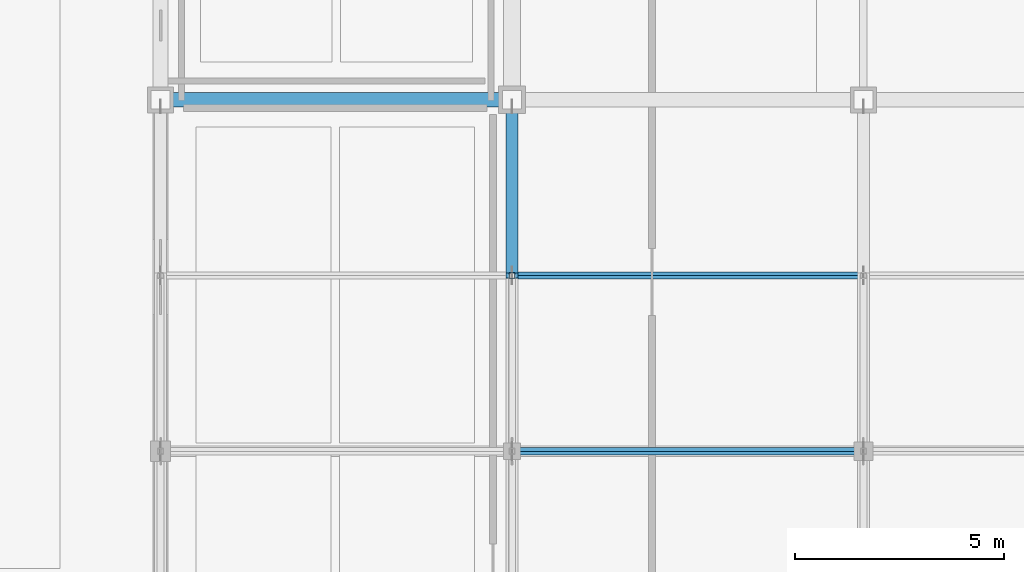
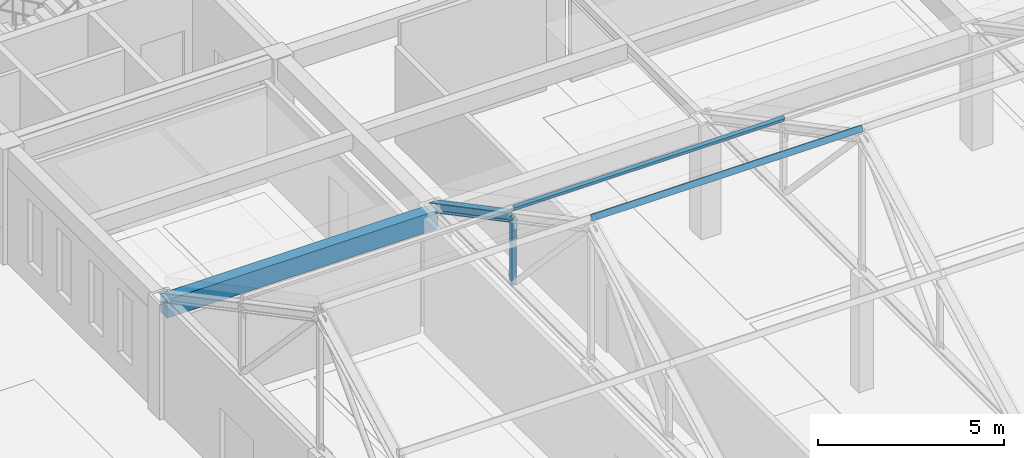
# One storey, part 4 of 47: 4 members, 1 beam.
"""IFC4 building model written with IfcOpenShell, lengths in metres."""

from ifc_helpers import new_model, si_unit, direction, frame, origin, origin_2d, place, context, subcontext, project, spatial, rectangle, hollow_rectangle, i_section, extrude, material, material_profile, profile_set, type_object, element, save


model = new_model("IFC4")

# Units and contexts
model_context = context("Model", 3, precision=1e-05, world=origin(), true_north=direction((0.0, 1.0)))
body_context = subcontext(model_context, "Body", "Model", "MODEL_VIEW")
ifc_project = project(units=[si_unit("LENGTHUNIT", "METRE"), si_unit("AREAUNIT", "SQUARE_METRE"), si_unit("VOLUMEUNIT", "CUBIC_METRE"), si_unit("PLANEANGLEUNIT", "RADIAN"), si_unit("MASSUNIT", "GRAM", prefix="KILO")], contexts=[model_context])

# Site, building, storey
site_placement = place(None, origin())
site = spatial("IfcSite", under=ifc_project, at=site_placement, CompositionType="ELEMENT")
building_placement = place(site_placement, origin())
building = spatial("IfcBuilding", under=site, at=building_placement, Name="Kveldsbrygga Polytechnic", CompositionType="ELEMENT")
storey_placement = place(building_placement, frame((0.0, 0.0, 13.93994140625)))
storey = spatial("IfcBuildingStorey", under=building, at=storey_placement, Name="L03", CompositionType="ELEMENT", Elevation=13.93994140625)

# Beam
ifc_material_1 = material(Name="Concrete C35/45", Category="concrete")
ifc_material_profile_1 = material_profile(ifc_material_1, rectangle(XDim=0.35009765625, YDim=0.60009765625, at=origin_2d()), Name="RC 350x600")
ifc_profile_set_1 = profile_set([ifc_material_profile_1], Name="Concrete C35/45")
beam_type = type_object("IfcBeamType", Name="BM-SPANDREL-600", PredefinedType="T_BEAM", material=ifc_profile_set_1)
beam_placement = place(storey_placement, frame((126.0, 16.800048828125, 3.449951171875), z_axis=(1.0, 0.0, 0.0), x_axis=(0.0, 1.0, 0.0)))
element("IfcBeam", 1, at=beam_placement, inside=storey, type_object=beam_type, Name="Primary Beam BMX-L03-15to16-02", PredefinedType="T_BEAM", context=body_context, shape_type="SweptSolid", body=[
    extrude(rectangle(XDim=0.35009765625, YDim=0.60009765625, at=origin_2d()), origin(), (0.0, 0.0, 1.0), 8.39990234375),
])

# Members
ifc_material_2 = material(Name="Steel S355", Category="steel")
ifc_material_profile_2 = material_profile(ifc_material_2, hollow_rectangle(XDim=0.10009765625, YDim=0.179931640625, WallThickness=0.008056640625, at=origin_2d()), Name="RHS 180x100x8.0")
ifc_profile_set_2 = profile_set([ifc_material_profile_2], Name="Steel S355")
member_type_1 = type_object("IfcMemberType", Name="PRL-RHS180", PredefinedType="PURLIN", material=ifc_profile_set_2)
for number, where, z_axis, x_axis, name in (
    (2, (134.39990234375, 8.39990234375, 8.490234375), (1.0, 0.0, 0.0), (0.0, 0.883660254474, -0.468128779998), "Roof Purlin V4S4-PRL-2-2"),
    (3, (134.39990234375, 12.60009765625, 6.265380859375), (1.0, 0.0, 0.0), (0.0, 0.883660254474, 0.468128779998), "Roof Purlin V4S4-PRL-2-3"),
):
    element("IfcMember", number, at=place(storey_placement, frame(where, z_axis=z_axis, x_axis=x_axis)), inside=storey, type_object=member_type_1, Name=name, PredefinedType="PURLIN", context=body_context, shape_type="SweptSolid", body=[
        extrude(hollow_rectangle(XDim=0.10009765625, YDim=0.179931640625, WallThickness=0.008056640625, at=origin_2d()), origin(), (0.0, 0.0, 1.0), 8.400146484375),
    ])
ifc_material_profile_3 = material_profile(ifc_material_2, hollow_rectangle(XDim=0.139892578125, YDim=0.139892578125, WallThickness=0.008056640625, at=origin_2d()), Name="SHS 140x140x8.0")
ifc_profile_set_3 = profile_set([ifc_material_profile_3], Name="Steel S355")
member_type_2 = type_object("IfcMemberType", Name="TR-POST-SHS140", PredefinedType="STRUT", material=ifc_profile_set_3)
member_1_placement = place(storey_placement, frame((134.39990234375, 12.60009765625, 3.780029296875), z_axis=(0.0, 0.0, 1.0), x_axis=(1.0, 0.0, 0.0)))
element("IfcMember", 4, at=member_1_placement, inside=storey, type_object=member_type_2, Name="Truss Vertical V4S4-T02-VT-3", PredefinedType="STRUT", context=body_context, shape_type="SweptSolid", body=[
    extrude(hollow_rectangle(XDim=0.139892578125, YDim=0.139892578125, WallThickness=0.008056640625, at=origin_2d()), origin(), (0.0, 0.0, 1.0), 2.22509765625),
])
ifc_material_profile_4 = material_profile(ifc_material_2, i_section(OverallWidth=0.280029296875, OverallDepth=0.280029296875, WebThickness=0.010498046875, FlangeThickness=0.01806640625, FilletRadius=0.02392578125, at=origin_2d()), Name="HEB 280")
ifc_profile_set_4 = profile_set([ifc_material_profile_4], Name="Steel S355")
member_type_3 = type_object("IfcMemberType", Name="TR-TOP-HEB280", PredefinedType="CHORD", material=ifc_profile_set_4)
member_2_placement = place(storey_placement, frame((134.39990234375, 12.60009765625, 6.005126953125), z_axis=(0.0, 0.883649189339, -0.468149666432), x_axis=(-1.0, 0.0, 0.0)))
element("IfcMember", 5, at=member_2_placement, inside=storey, type_object=member_type_3, Name="Truss Top Chord V4S4-T02-TC-4", PredefinedType="CHORD", context=body_context, shape_type="SweptSolid", body=[
    extrude(i_section(OverallWidth=0.280029296875, OverallDepth=0.280029296875, WebThickness=0.010498046875, FlangeThickness=0.01806640625, FilletRadius=0.02392578125, at=origin_2d()), origin(), (0.0, 0.0, 1.0), 4.7529296875),
])

save(model, "model.ifc")
